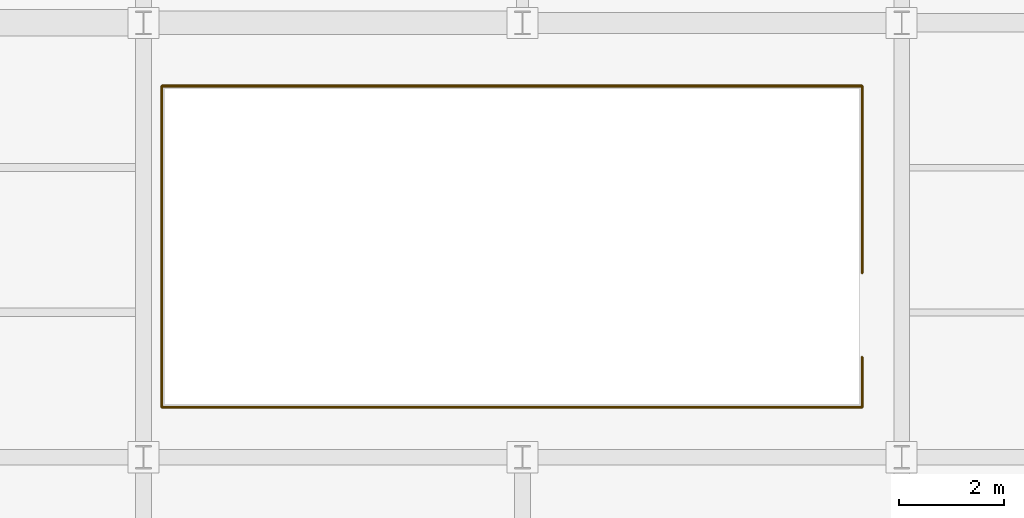
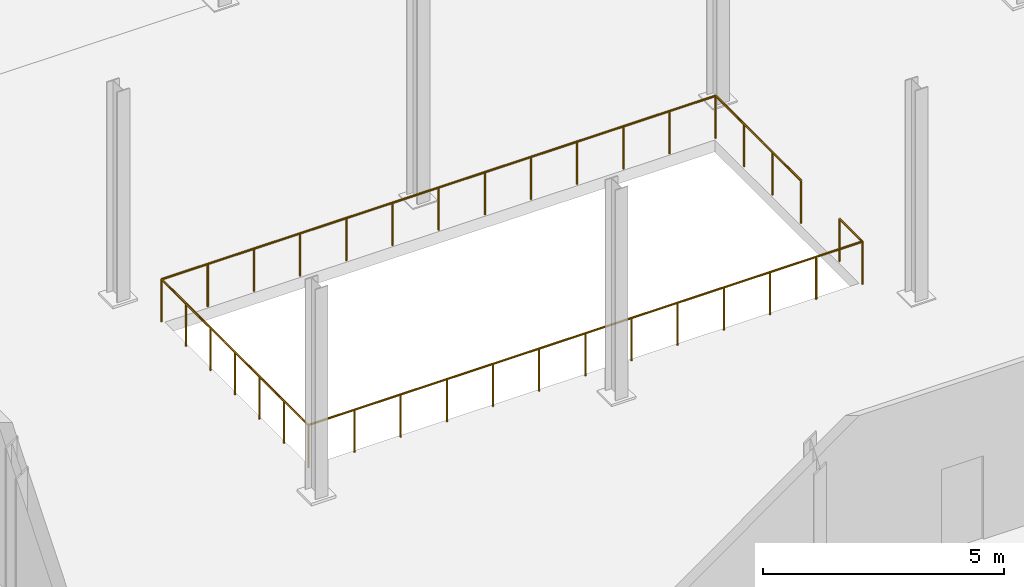
# One storey, part 146 of 147: 1 railing.
"""IFC4 building model written with IfcOpenShell, lengths in metres."""

from ifc_helpers import new_model, si_unit, direction, frame, origin, origin_2d, place, context, subcontext, project, spatial, circle, extrude, material, type_object, element, save


model = new_model("IFC4")

# Units and contexts
model_context = context("Model", 3, precision=1e-05, world=origin(), true_north=direction((0.0, 1.0)))
body_context = subcontext(model_context, "Body", "Model", "MODEL_VIEW")
ifc_project = project(units=[si_unit("LENGTHUNIT", "METRE"), si_unit("AREAUNIT", "SQUARE_METRE"), si_unit("VOLUMEUNIT", "CUBIC_METRE"), si_unit("PLANEANGLEUNIT", "RADIAN"), si_unit("MASSUNIT", "GRAM", prefix="KILO")], contexts=[model_context])

# Site, building, storey
site_placement = place(None, origin())
site = spatial("IfcSite", under=ifc_project, at=site_placement, CompositionType="ELEMENT")
building_placement = place(site_placement, origin())
building = spatial("IfcBuilding", under=site, at=building_placement, Name="Sundgate Opera House", CompositionType="ELEMENT")
storey_placement = place(building_placement, frame((0.0, 0.0, 6.0)))
storey = spatial("IfcBuildingStorey", under=building, at=storey_placement, Name="L01", CompositionType="ELEMENT", Elevation=6.0)

# Railing
ifc_material = material(Name="Painted steel S275 guardrail", Category="steel")
railing_type = type_object("IfcRailingType", Name="RL-STAIR-GUARD-1100", PredefinedType="GUARDRAIL", material=ifc_material)
railing_placement = place(storey_placement, frame((145.050048828125, 18.39990234375, 0.0)))
element("IfcRailing", 1, at=railing_placement, inside=storey, type_object=railing_type, Name="L01 Interior Guardrail RL0291", PredefinedType="GUARDRAIL", context=body_context, shape_type="SweptSolid", body=[
    extrude(circle(Radius=0.02392578125, at=origin_2d()), frame((0.0, 0.0, 1.076171875), z_axis=(0.0, -1.0, 0.0), x_axis=(1.0, 0.0, 0.0)), (0.0, 0.0, 1.0), 0.949951171875),
    extrude(circle(Radius=0.02392578125, at=origin_2d()), frame((0.0, -0.949951171875, 1.076171875), z_axis=(-1.0, 0.0, 0.0), x_axis=(0.0, -1.0, 0.0)), (0.0, 0.0, 1.0), 13.300048828125),
    extrude(circle(Radius=0.02392578125, at=origin_2d()), frame((-13.300048828125, -0.949951171875, 1.076171875), z_axis=(0.0, 1.0, 0.0), x_axis=(-1.0, 0.0, 0.0)), (0.0, 0.0, 1.0), 6.10009765625),
    extrude(circle(Radius=0.02392578125, at=origin_2d()), frame((-13.300048828125, 5.150146484375, 1.076171875), z_axis=(1.0, 0.0, 0.0), x_axis=(0.0, 1.0, 0.0)), (0.0, 0.0, 1.0), 13.300048828125),
    extrude(circle(Radius=0.02392578125, at=origin_2d()), frame((0.0, 5.150146484375, 1.076171875), z_axis=(0.0, -1.0, 0.0), x_axis=(1.0, 0.0, 0.0)), (0.0, 0.0, 1.0), 3.550048828125),
    extrude(circle(Radius=0.02099609375, at=origin_2d()), origin(), (0.0, 0.0, 1.0), 1.052001953125),
    extrude(circle(Radius=0.02099609375, at=origin_2d()), frame((0.0, -0.949951171875, 0.0)), (0.0, 0.0, 1.0), 1.052001953125),
    extrude(circle(Radius=0.02099609375, at=origin_2d()), frame((-1.1083984375, -0.949951171875, 0.0)), (0.0, 0.0, 1.0), 1.052001953125),
    extrude(circle(Radius=0.02099609375, at=origin_2d()), frame((-2.216796875, -0.949951171875, 0.0)), (0.0, 0.0, 1.0), 1.052001953125),
    extrude(circle(Radius=0.02099609375, at=origin_2d()), frame((-3.324951171875, -0.949951171875, 0.0)), (0.0, 0.0, 1.0), 1.052001953125),
    extrude(circle(Radius=0.02099609375, at=origin_2d()), frame((-4.433349609375, -0.949951171875, 0.0)), (0.0, 0.0, 1.0), 1.052001953125),
    extrude(circle(Radius=0.02099609375, at=origin_2d()), frame((-5.541748046875, -0.949951171875, 0.0)), (0.0, 0.0, 1.0), 1.052001953125),
    extrude(circle(Radius=0.02099609375, at=origin_2d()), frame((-6.64990234375, -0.949951171875, 0.0)), (0.0, 0.0, 1.0), 1.052001953125),
    extrude(circle(Radius=0.02099609375, at=origin_2d()), frame((-7.75830078125, -0.949951171875, 0.0)), (0.0, 0.0, 1.0), 1.052001953125),
    extrude(circle(Radius=0.02099609375, at=origin_2d()), frame((-8.86669921875, -0.949951171875, 0.0)), (0.0, 0.0, 1.0), 1.052001953125),
    extrude(circle(Radius=0.02099609375, at=origin_2d()), frame((-9.97509765625, -0.949951171875, 0.0)), (0.0, 0.0, 1.0), 1.052001953125),
    extrude(circle(Radius=0.02099609375, at=origin_2d()), frame((-11.08349609375, -0.949951171875, 0.0)), (0.0, 0.0, 1.0), 1.052001953125),
    extrude(circle(Radius=0.02099609375, at=origin_2d()), frame((-12.191650390625, -0.949951171875, 0.0)), (0.0, 0.0, 1.0), 1.052001953125),
    extrude(circle(Radius=0.02099609375, at=origin_2d()), frame((-13.300048828125, -0.949951171875, 0.0)), (0.0, 0.0, 1.0), 1.052001953125),
    extrude(circle(Radius=0.02099609375, at=origin_2d()), frame((-13.300048828125, 0.066650390625, 0.0)), (0.0, 0.0, 1.0), 1.052001953125),
    extrude(circle(Radius=0.02099609375, at=origin_2d()), frame((-13.300048828125, 1.08349609375, 0.0)), (0.0, 0.0, 1.0), 1.052001953125),
    extrude(circle(Radius=0.02099609375, at=origin_2d()), frame((-13.300048828125, 2.10009765625, 0.0)), (0.0, 0.0, 1.0), 1.052001953125),
    extrude(circle(Radius=0.02099609375, at=origin_2d()), frame((-13.300048828125, 3.11669921875, 0.0)), (0.0, 0.0, 1.0), 1.052001953125),
    extrude(circle(Radius=0.02099609375, at=origin_2d()), frame((-13.300048828125, 4.133544921875, 0.0)), (0.0, 0.0, 1.0), 1.052001953125),
    extrude(circle(Radius=0.02099609375, at=origin_2d()), frame((-13.300048828125, 5.150146484375, 0.0)), (0.0, 0.0, 1.0), 1.052001953125),
    extrude(circle(Radius=0.02099609375, at=origin_2d()), frame((-12.191650390625, 5.150146484375, 0.0)), (0.0, 0.0, 1.0), 1.052001953125),
    extrude(circle(Radius=0.02099609375, at=origin_2d()), frame((-11.08349609375, 5.150146484375, 0.0)), (0.0, 0.0, 1.0), 1.052001953125),
    extrude(circle(Radius=0.02099609375, at=origin_2d()), frame((-9.97509765625, 5.150146484375, 0.0)), (0.0, 0.0, 1.0), 1.052001953125),
    extrude(circle(Radius=0.02099609375, at=origin_2d()), frame((-8.86669921875, 5.150146484375, 0.0)), (0.0, 0.0, 1.0), 1.052001953125),
    extrude(circle(Radius=0.02099609375, at=origin_2d()), frame((-7.75830078125, 5.150146484375, 0.0)), (0.0, 0.0, 1.0), 1.052001953125),
    extrude(circle(Radius=0.02099609375, at=origin_2d()), frame((-6.64990234375, 5.150146484375, 0.0)), (0.0, 0.0, 1.0), 1.052001953125),
    extrude(circle(Radius=0.02099609375, at=origin_2d()), frame((-5.541748046875, 5.150146484375, 0.0)), (0.0, 0.0, 1.0), 1.052001953125),
    extrude(circle(Radius=0.02099609375, at=origin_2d()), frame((-4.433349609375, 5.150146484375, 0.0)), (0.0, 0.0, 1.0), 1.052001953125),
    extrude(circle(Radius=0.02099609375, at=origin_2d()), frame((-3.324951171875, 5.150146484375, 0.0)), (0.0, 0.0, 1.0), 1.052001953125),
    extrude(circle(Radius=0.02099609375, at=origin_2d()), frame((-2.216796875, 5.150146484375, 0.0)), (0.0, 0.0, 1.0), 1.052001953125),
    extrude(circle(Radius=0.02099609375, at=origin_2d()), frame((-1.1083984375, 5.150146484375, 0.0)), (0.0, 0.0, 1.0), 1.052001953125),
    extrude(circle(Radius=0.02099609375, at=origin_2d()), frame((0.0, 5.150146484375, 0.0)), (0.0, 0.0, 1.0), 1.052001953125),
    extrude(circle(Radius=0.02099609375, at=origin_2d()), frame((0.0, 3.966796875, 0.0)), (0.0, 0.0, 1.0), 1.052001953125),
    extrude(circle(Radius=0.02099609375, at=origin_2d()), frame((0.0, 2.783447265625, 0.0)), (0.0, 0.0, 1.0), 1.052001953125),
    extrude(circle(Radius=0.02099609375, at=origin_2d()), frame((0.0, 1.60009765625, 0.0)), (0.0, 0.0, 1.0), 1.052001953125),
])

save(model, "model.ifc")
